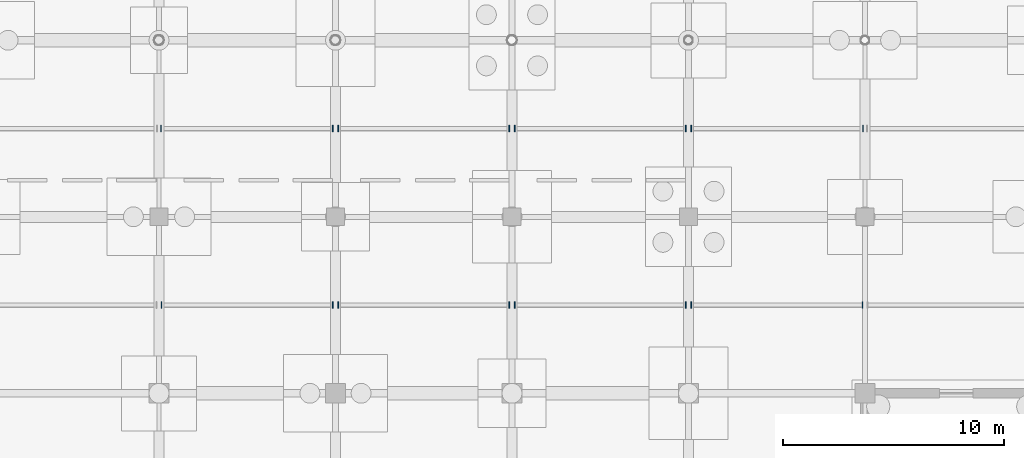
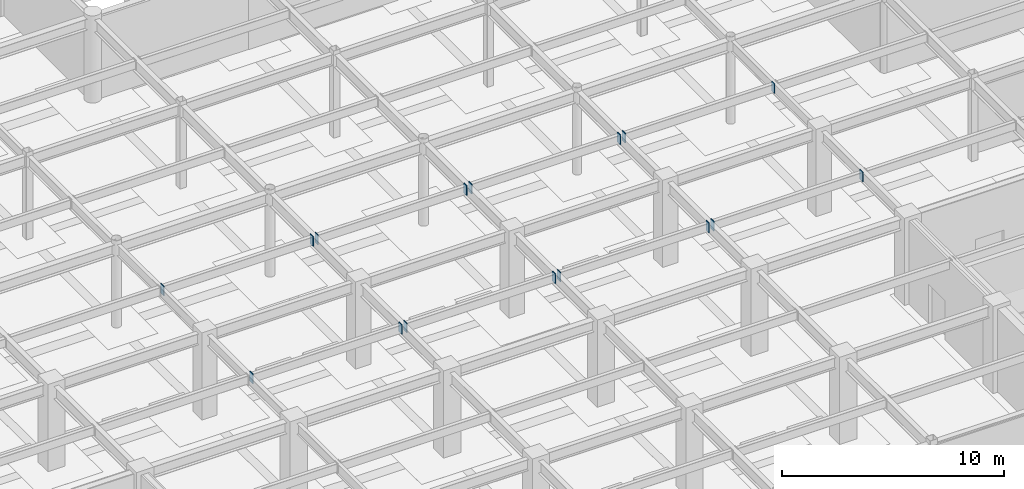
# One storey, part 71 of 105: 16 discrete accessories.
"""IFC4 building model written with IfcOpenShell, lengths in metres."""

import ifcopenshell
import ifcopenshell.guid

model = None  # the IFC model being written
_history = None  # IfcOwnerHistory: only IFC2X3 demands one
_inside = {}  # id of a spatial element -> (the spatial element, [elements in it])
_under = {}  # id of a project, library or spatial element -> (it, [spatial elements below it])
_declared = {}  # id of a project -> (the project, [libraries it declares])
_typed = {}  # id of a type object -> (the type object, [elements of that type])
_made_of = {}  # id of a material, layer set ... -> (it, [elements and type objects made of it])


def new_model(schema):
    """Start an empty IFC model of exactly this schema.

    Asked for "IFC4X3", IfcOpenShell would pick the latest addendum, in which some entities
    have other attributes; the version numbers below select the first issue.
    IFC2X3 requires an IfcOwnerHistory on every rooted entity: one is made here for all.
    """
    global model, _history
    if schema == "IFC4X3":
        model = ifcopenshell.file(schema_version=(4, 3, 0, 0))
    else:
        model = ifcopenshell.file(schema=schema)
    _inside.clear()
    _under.clear()
    _declared.clear()
    _typed.clear()
    _made_of.clear()
    _history = None
    if model.schema == "IFC2X3":
        org = make("IfcOrganization", Name="unknown")
        user = make(
            "IfcPersonAndOrganization",
            ThePerson=make("IfcPerson", FamilyName="unknown"),
            TheOrganization=org,
        )
        app = make(
            "IfcApplication",
            ApplicationDeveloper=org,
            Version="unknown",
            ApplicationFullName="unknown",
            ApplicationIdentifier="unknown",
        )
        _history = make(
            "IfcOwnerHistory",
            OwningUser=user,
            OwningApplication=app,
            ChangeAction="ADDED",
            CreationDate=0,
        )
    return model


def make(cls, **values):
    """One entity of the class cls with the attributes given. An attribute that is None is left unset."""
    return model.create_entity(
        cls, **{name: value for name, value in values.items() if value is not None}
    )


def rooted(cls, **values):
    """An entity with a GlobalId (a new one), such as an element, a storey or a relation."""
    return make(cls, GlobalId=ifcopenshell.guid.new(), OwnerHistory=_history, **values)


def si_unit(unit_type, name, prefix=None):
    """IfcSIUnit, for example si_unit("LENGTHUNIT", "METRE", prefix="MILLI")."""
    return make("IfcSIUnit", UnitType=unit_type, Prefix=prefix, Name=name)


def assignment(units):
    """IfcUnitAssignment: the units of a project."""
    return None if units is None else make("IfcUnitAssignment", Units=units)


def point(xyz):
    """IfcCartesianPoint."""
    return None if xyz is None else make("IfcCartesianPoint", Coordinates=xyz)


def direction(xyz):
    """IfcDirection."""
    return None if xyz is None else make("IfcDirection", DirectionRatios=xyz)


def frame(location, z_axis=None, x_axis=None):
    """IfcAxis2Placement3D, a coordinate frame: its origin and axes. An axis left out is left unset."""
    return make(
        "IfcAxis2Placement3D",
        Location=point(location),
        Axis=direction(z_axis),
        RefDirection=direction(x_axis),
    )


def frame_2d(location, x_axis=None):
    """IfcAxis2Placement2D, a coordinate frame in the plane: its origin and x axis."""
    return make(
        "IfcAxis2Placement2D", Location=point(location), RefDirection=direction(x_axis)
    )


def origin():
    """The frame at (0, 0, 0) with its axes left unset."""
    return frame((0.0, 0.0, 0.0))


def origin_2d():
    """The frame at (0, 0) in the plane with its x axis left unset."""
    return frame_2d((0.0, 0.0))


def place(relative_to, where):
    """IfcLocalPlacement: puts the frame where relative to a parent placement (None: the world)."""
    return make(
        "IfcLocalPlacement", PlacementRelTo=relative_to, RelativePlacement=where
    )


def context(
    kind, dimensions, precision=None, world=None, true_north=None, identifier=None
):
    """IfcGeometricRepresentationContext, for example the 3D "Model" context."""
    return make(
        "IfcGeometricRepresentationContext",
        ContextIdentifier=identifier,
        ContextType=kind,
        CoordinateSpaceDimension=dimensions,
        Precision=precision,
        WorldCoordinateSystem=world,
        TrueNorth=true_north,
    )


def subcontext(parent, identifier, kind, view, scale=None):
    """IfcGeometricRepresentationSubContext, for example "Body" below "Model"."""
    return make(
        "IfcGeometricRepresentationSubContext",
        ContextIdentifier=identifier,
        ContextType=kind,
        ParentContext=parent,
        TargetScale=scale,
        TargetView=view,
    )


def project(units=None, contexts=None):
    """IfcProject with its units and contexts."""
    return rooted(
        "IfcProject",
        Name="project",
        RepresentationContexts=contexts,
        UnitsInContext=assignment(units),
    )


def spatial(cls, under=None, at=None, **own):
    """A site, building, storey or space (cls), placed at a placement, below another one or the project."""
    s = rooted(cls, ObjectPlacement=at, **own)
    if under is not None:
        _under.setdefault(under.id(), (under, []))[1].append(s)
    return s


def profile(cls, at=None, kind="AREA", **sizes):
    """A parametric profile (cls). Its sizes go by their IFC names, for example OverallWidth=200.0."""
    return make(cls, ProfileType=kind, Position=at, **sizes)


def rectangle(**sizes):
    """IfcRectangleProfileDef."""
    return profile("IfcRectangleProfileDef", **sizes)


def extrude(swept, where, along, depth):
    """IfcExtrudedAreaSolid: the profile swept, set in the frame where, extruded along a direction by depth."""
    return make(
        "IfcExtrudedAreaSolid",
        SweptArea=swept,
        Position=where,
        ExtrudedDirection=direction(along),
        Depth=depth,
    )


def shape(context_of_items, identifier, shape_type, items):
    """IfcShapeRepresentation: the items that make up one representation, for example the "Body"."""
    return make(
        "IfcShapeRepresentation",
        ContextOfItems=context_of_items,
        RepresentationIdentifier=identifier,
        RepresentationType=shape_type,
        Items=items,
    )


def material(Name=None, Category=None):
    """IfcMaterial."""
    return make("IfcMaterial", Name=Name, Category=Category)


def layer(
    of_material, thickness, ventilated=None, Name=None, Category=None, Priority=None
):
    """IfcMaterialLayer: one layer of a wall or slab, of a material (None: an air gap)."""
    return make(
        "IfcMaterialLayer",
        Material=of_material,
        LayerThickness=thickness,
        IsVentilated=ventilated,
        Name=Name,
        Category=Category,
        Priority=Priority,
    )


def layer_set(layers, Name=None):
    """IfcMaterialLayerSet."""
    return make("IfcMaterialLayerSet", MaterialLayers=layers, LayerSetName=Name)


def made_of(thing, what):
    """Note that an element or type object is made of a material, layer set ...; save() writes the relation."""
    if what is not None:
        _made_of.setdefault(what.id(), (what, []))[1].append(thing)
    return thing


def type_object(cls, material=None, **own):
    """A type object (cls), such as IfcWallType, which elements share."""
    return made_of(rooted(cls, **own), material)


def element(
    cls,
    number,
    at=None,
    inside=None,
    cuts=None,
    type_object=None,
    material=None,
    context=None,
    identifier="Body",
    shape_type=None,
    held_by="IfcProductDefinitionShape",
    body=None,
    shapes=None,
    **own,
):
    """One element of the class cls, such as IfcWall. Its Tag is "e" and its number.

    at: its placement. inside: the storey or other place that contains it. cuts: it is an
    opening in that element (IfcRelVoidsElement). A single representation is given by context,
    identifier, shape_type and body (its items); several are given by shapes. held_by: the class
    of the entity that holds the representations. save() writes the other relations.
    """
    e = rooted(cls, Tag="e%d" % number, ObjectPlacement=at, **own)
    if body is not None:
        shapes = [shape(context, identifier, shape_type, body)]
    if shapes is not None:
        e.Representation = make(held_by, Representations=shapes)
    if inside is not None:
        _inside.setdefault(inside.id(), (inside, []))[1].append(e)
    if cuts is not None:
        rooted(
            "IfcRelVoidsElement", RelatingBuildingElement=cuts, RelatedOpeningElement=e
        )
    if type_object is not None:
        _typed.setdefault(type_object.id(), (type_object, []))[1].append(e)
    return made_of(e, material)


def aggregate(whole, parts):
    """IfcRelAggregates: a whole, such as a stair, and the parts it consists of."""
    return rooted("IfcRelAggregates", RelatingObject=whole, RelatedObjects=parts)


def save(model, path):
    """Write the relations noted so far, then the file.

    IfcRelAggregates (storeys below a building ...), IfcRelContainedInSpatialStructure (elements
    in a storey), IfcRelDefinesByType, IfcRelAssociatesMaterial and IfcRelDeclares: one each for
    every whole, place, type object, material and project.
    """
    for whole, parts in _under.values():
        aggregate(whole, parts)
    for where, things in _inside.values():
        rooted(
            "IfcRelContainedInSpatialStructure",
            RelatedElements=things,
            RelatingStructure=where,
        )
    for kind, things in _typed.values():
        rooted("IfcRelDefinesByType", RelatedObjects=things, RelatingType=kind)
    for what, things in _made_of.values():
        rooted("IfcRelAssociatesMaterial", RelatedObjects=things, RelatingMaterial=what)
    for by, libraries in _declared.values():
        rooted("IfcRelDeclares", RelatingContext=by, RelatedDefinitions=libraries)
    model.write(path)


model = new_model("IFC4")

# Units and contexts
model_context = context("Model", 3, precision=1e-05, world=origin(), true_north=direction((0.0, 1.0)))
body_context = subcontext(model_context, "Body", "Model", "MODEL_VIEW")
ifc_project = project(units=[si_unit("LENGTHUNIT", "METRE"), si_unit("AREAUNIT", "SQUARE_METRE"), si_unit("VOLUMEUNIT", "CUBIC_METRE"), si_unit("PLANEANGLEUNIT", "RADIAN"), si_unit("MASSUNIT", "GRAM", prefix="KILO")], contexts=[model_context])

# Site, building, storey
site_placement = place(None, origin())
site = spatial("IfcSite", under=ifc_project, at=site_placement, CompositionType="ELEMENT")
building_placement = place(site_placement, origin())
building = spatial("IfcBuilding", under=site, at=building_placement, Name="Solmirada Galleria", CompositionType="ELEMENT")
storey_placement = place(building_placement, frame((0.0, 0.0, -4.800048828125)))
storey = spatial("IfcBuildingStorey", under=building, at=storey_placement, Name="B1", CompositionType="ELEMENT", Elevation=-4.800048828125)

# Discrete accessories
ifc_material = material(Name="Steel S355 / ASTM A572 Grade 50", Category="steel")
ifc_layer = layer(ifc_material, 0.031982421875)
ifc_layer_set = layer_set([ifc_layer], Name="Steel S355 / ASTM A572 Grade 50")
discrete_accessory_type = type_object("IfcDiscreteAccessoryType", Name="ACC-COL-CAP", PredefinedType="BRACKET", material=ifc_layer_set)
for number, where, z_axis, x_axis, name in (
    (1, (104.114013671875, 20.0, 4.08154296875), (0.0, 0.0, 1.0), (1.0, 0.0, 0.0), "Hollow joist end plate L00-14-03-L"),
    (2, (111.873046875, 20.0, 4.08154296875), (0.0, 0.0, 1.0), (1.0, 0.0, 0.0), "Hollow joist end plate L00-14-03-R"),
    (3, (104.089111328125, 28.0, 4.08154296875), (0.0, 0.0, 1.0), (1.0, 0.0, 0.0), "Hollow joist end plate L00-14-04-L"),
    (4, (111.873046875, 28.0, 4.08154296875), (0.0, 0.0, 1.0), (1.0, 0.0, 0.0), "Hollow joist end plate L00-14-04-R"),
    (5, (112.126953125, 20.0, 4.08154296875), (0.0, 0.0, 1.0), (1.0, 0.0, 0.0), "Hollow joist end plate L00-15-03-L"),
    (6, (119.8720703125, 20.0, 4.08154296875), (0.0, 0.0, 1.0), (1.0, 0.0, 0.0), "Hollow joist end plate L00-15-03-R"),
    (7, (112.126953125, 28.0, 4.08154296875), (0.0, 0.0, 1.0), (1.0, 0.0, 0.0), "Hollow joist end plate L00-15-04-L"),
    (8, (119.8720703125, 28.0, 4.08154296875), (0.0, 0.0, 1.0), (1.0, 0.0, 0.0), "Hollow joist end plate L00-15-04-R"),
    (9, (120.1279296875, 20.0, 4.08154296875), (0.0, 0.0, 1.0), (1.0, 0.0, 0.0), "Hollow joist end plate L00-16-03-L"),
    (10, (127.873046875, 20.0, 4.08154296875), (0.0, 0.0, 1.0), (1.0, 0.0, 0.0), "Hollow joist end plate L00-16-03-R"),
    (11, (120.1279296875, 28.0, 4.08154296875), (0.0, 0.0, 1.0), (1.0, 0.0, 0.0), "Hollow joist end plate L00-16-04-L"),
    (12, (127.873046875, 28.0, 4.08154296875), (0.0, 0.0, 1.0), (1.0, 0.0, 0.0), "Hollow joist end plate L00-16-04-R"),
    (13, (128.126953125, 20.0, 4.08154296875), (0.0, 0.0, 1.0), (1.0, 0.0, 0.0), "Hollow joist end plate L00-17-03-L"),
    (14, (135.885986328125, 20.0, 4.08154296875), (0.0, 0.0, 1.0), (1.0, 0.0, 0.0), "Hollow joist end plate L00-17-03-R"),
    (15, (128.126953125, 28.0, 4.08154296875), (0.0, 0.0, 1.0), (1.0, 0.0, 0.0), "Hollow joist end plate L00-17-04-L"),
    (16, (135.910888671875, 28.0, 4.08154296875), (0.0, 0.0, 1.0), (1.0, 0.0, 0.0), "Hollow joist end plate L00-17-04-R"),
):
    element("IfcDiscreteAccessory", number, at=place(storey_placement, frame(where, z_axis=z_axis, x_axis=x_axis)), inside=storey, type_object=discrete_accessory_type, Name=name, PredefinedType="BRACKET", context=body_context, shape_type="SweptSolid", body=[
        extrude(rectangle(XDim=0.035888671875, YDim=0.280029296875, at=origin_2d()), origin(), (0.0, 0.0, 1.0), 0.5400390625),
    ])

save(model, "model.ifc")
